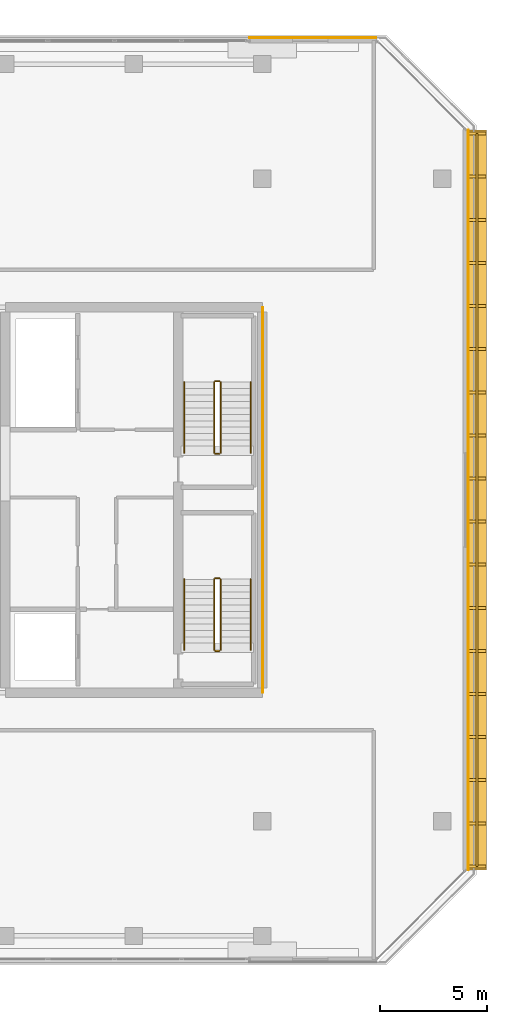
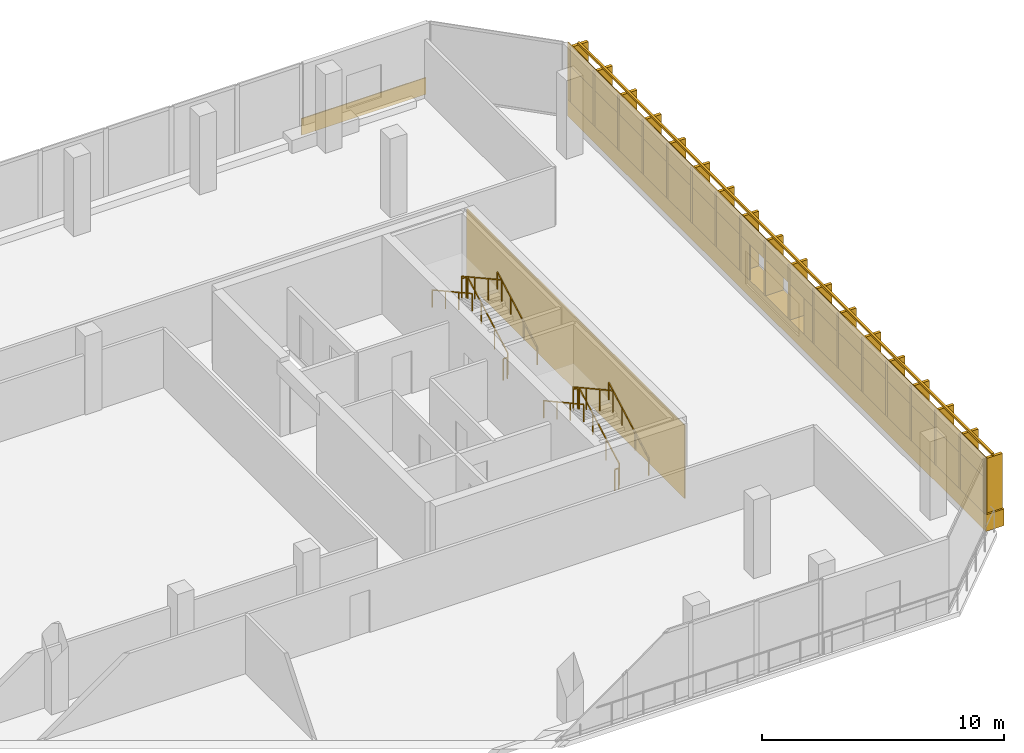
# One storey, part 26 of 26: 13 railings, 6 coverings.
"""IFC4 building model written with IfcOpenShell, lengths in metres."""

from ifc_helpers import new_model, si_unit, direction, frame, origin, origin_2d, place, context, subcontext, project, spatial, rectangle, extrude, material, layer, layer_set, type_object, element, save


model = new_model("IFC4")

# Units and contexts
model_context = context("Model", 3, precision=1e-05, world=origin(), true_north=direction((0.0, 1.0)))
body_context = subcontext(model_context, "Body", "Model", "MODEL_VIEW")
ifc_project = project(units=[si_unit("LENGTHUNIT", "METRE"), si_unit("AREAUNIT", "SQUARE_METRE"), si_unit("VOLUMEUNIT", "CUBIC_METRE"), si_unit("PLANEANGLEUNIT", "RADIAN"), si_unit("MASSUNIT", "GRAM", prefix="KILO")], contexts=[model_context])

# Site, building, storey
site_placement = place(None, origin())
site = spatial("IfcSite", under=ifc_project, at=site_placement, CompositionType="ELEMENT")
building_placement = place(site_placement, origin())
building = spatial("IfcBuilding", under=site, at=building_placement, Name="Tanjung Sevakor Pilgrim Tower", CompositionType="ELEMENT")
storey_placement = place(building_placement, frame((0.0, 0.0, 177.8701171875)))
storey = spatial("IfcBuildingStorey", under=building, at=storey_placement, Name="L49", CompositionType="ELEMENT", Elevation=177.8701171875)

# Coverings
ifc_material_1 = material(Name="Reconstructed Limestone Cladding", Category="masonry")
ifc_layer = layer(ifc_material_1, 0.044921875)
ifc_layer_set = layer_set([ifc_layer], Name="COV-CLAD-LIMESTONE")
covering_type = type_object("IfcCoveringType", Name="COV-CLAD-LIMESTONE", PredefinedType="CLADDING", material=ifc_layer_set)
covering_1_placement = place(storey_placement, frame((100.030029296875, 33.60009765625, 0.009765625), z_axis=(0.0, 0.0, 1.0), x_axis=(0.0, 1.0, 0.0)))
element("IfcCovering", 1, at=covering_1_placement, inside=storey, type_object=covering_type, Name="L49 Warm Limestone Sill Spandrel EW-L49-MAIN-7-1", PredefinedType="CLADDING", context=body_context, shape_type="SweptSolid", body=[
    extrude(rectangle(XDim=34.52880859375, YDim=0.860107421875, at=origin_2d()), origin(), (0.0, 0.0, 1.0), 0.840087890625),
])
covering_2_placement = place(storey_placement, frame((99.62255859375, 33.60009765625, 2.65966796875), z_axis=(0.0, 0.0, 1.0), x_axis=(0.0, 1.0, 0.0)))
element("IfcCovering", 2, at=covering_2_placement, inside=storey, type_object=covering_type, Name="L49 Warm Limestone Cornice Spandrel EW-L49-MAIN-7", PredefinedType="CLADDING", context=body_context, shape_type="SweptSolid", body=[
    extrude(rectangle(XDim=34.56884765625, YDim=0.044921875, at=origin_2d()), origin(), (0.0, 0.0, 1.0), 1.070068359375),
])
for number, where, z_axis, x_axis, name in (
    (3, (99.62255859375, 23.8427734375, 0.849853515625), (0.0, 0.0, 1.0), (0.0, 1.0, 0.0), "L49 Warm Limestone Pier Panel EW-L49-MAIN-7-1"),
    (4, (99.62255859375, 43.357177734375, 0.849853515625), (0.0, 0.0, 1.0), (0.0, 1.0, 0.0), "L49 Warm Limestone Pier Panel EW-L49-MAIN-7-2"),
):
    element("IfcCovering", number, at=place(storey_placement, frame(where, z_axis=z_axis, x_axis=x_axis)), inside=storey, type_object=covering_type, Name=name, PredefinedType="CLADDING", context=body_context, shape_type="SweptSolid", body=[
        extrude(rectangle(XDim=15.014404296875, YDim=0.044921875, at=origin_2d()), origin(), (0.0, 0.0, 1.0), 1.81005859375),
    ])
covering_3_placement = place(storey_placement, frame((92.3544921875, 55.172607421875, 0.009765625), z_axis=(0.0, 0.0, 1.0), x_axis=(-1.0, 0.0, 0.0)))
element("IfcCovering", 5, at=covering_3_placement, inside=storey, type_object=covering_type, Name="L49 Warm Limestone Sill Spandrel EW-SKY-L49-N1-1", PredefinedType="CLADDING", context=body_context, shape_type="SweptSolid", body=[
    extrude(rectangle(XDim=5.919921875, YDim=0.044921875, at=origin_2d()), origin(), (0.0, 0.0, 1.0), 0.840087890625),
])
covering_4_placement = place(storey_placement, frame((90.0224609375, 33.60009765625, 0.02001953125), z_axis=(0.0, 0.0, 1.0), x_axis=(1.0, 0.0, 0.0)))
element("IfcCovering", 6, at=covering_4_placement, inside=storey, type_object=covering_type, Name="L49 Expressed Core Warm Limestone Cladding E", PredefinedType="CLADDING", context=body_context, shape_type="SweptSolid", body=[
    extrude(rectangle(XDim=0.044921875, YDim=18.0, at=origin_2d()), origin(), (0.0, 0.0, 1.0), 3.699951171875),
])

# Railings
ifc_material_2 = material(Name="Anodised Bronze Aluminium 6063-T6", Category="aluminium")
railing_type_1 = type_object("IfcRailingType", Name="RL-FIN-SCREEN", PredefinedType="BALUSTRADE", material=ifc_material_2)
railing_1_placement = place(storey_placement, frame((100.02490234375, 16.49560546875, 0.83984375)))
element("IfcRailing", 7, at=railing_1_placement, inside=storey, type_object=railing_type_1, Name="L49 Vertical Bronze-Gold Solar Fin Screen FNEND-EW-L49-MAIN-7-1", PredefinedType="BALUSTRADE", context=body_context, shape_type="SweptSolid", body=[
    extrude(rectangle(XDim=0.105, YDim=0.105), frame((0.0, 0.0, 2.817626953125), z_axis=(0.0, 1.0, 0.0), x_axis=(-1.0, 0.0, 0.0)), (0.0, 0.0, 1.0), 34.208740234375),
    extrude(rectangle(XDim=0.85, YDim=0.14), origin(), (0.0, 0.0, 1.0), 2.76513671875),
    extrude(rectangle(XDim=0.85, YDim=0.14), frame((0.0, 2.01220703125, 0.0)), (0.0, 0.0, 1.0), 2.76513671875),
    extrude(rectangle(XDim=0.85, YDim=0.14), frame((0.0, 4.024658203125, 0.0)), (0.0, 0.0, 1.0), 2.76513671875),
    extrude(rectangle(XDim=0.85, YDim=0.14), frame((0.0, 6.036865234375, 0.0)), (0.0, 0.0, 1.0), 2.76513671875),
    extrude(rectangle(XDim=0.85, YDim=0.14), frame((0.0, 8.049072265625, 0.0)), (0.0, 0.0, 1.0), 2.76513671875),
    extrude(rectangle(XDim=0.85, YDim=0.14), frame((0.0, 10.061279296875, 0.0)), (0.0, 0.0, 1.0), 2.76513671875),
    extrude(rectangle(XDim=0.85, YDim=0.14), frame((0.0, 12.07373046875, 0.0)), (0.0, 0.0, 1.0), 2.76513671875),
    extrude(rectangle(XDim=0.85, YDim=0.14), frame((0.0, 14.0859375, 0.0)), (0.0, 0.0, 1.0), 2.76513671875),
    extrude(rectangle(XDim=0.85, YDim=0.14), frame((0.0, 16.09814453125, 0.0)), (0.0, 0.0, 1.0), 2.76513671875),
    extrude(rectangle(XDim=0.85, YDim=0.14), frame((0.0, 18.110595703125, 0.0)), (0.0, 0.0, 1.0), 2.76513671875),
    extrude(rectangle(XDim=0.85, YDim=0.14), frame((0.0, 20.122802734375, 0.0)), (0.0, 0.0, 1.0), 2.76513671875),
    extrude(rectangle(XDim=0.85, YDim=0.14), frame((0.0, 22.135009765625, 0.0)), (0.0, 0.0, 1.0), 2.76513671875),
    extrude(rectangle(XDim=0.85, YDim=0.14), frame((0.0, 24.1474609375, 0.0)), (0.0, 0.0, 1.0), 2.76513671875),
    extrude(rectangle(XDim=0.85, YDim=0.14), frame((0.0, 26.15966796875, 0.0)), (0.0, 0.0, 1.0), 2.76513671875),
    extrude(rectangle(XDim=0.85, YDim=0.14), frame((0.0, 28.171875, 0.0)), (0.0, 0.0, 1.0), 2.76513671875),
    extrude(rectangle(XDim=0.85, YDim=0.14), frame((0.0, 30.18408203125, 0.0)), (0.0, 0.0, 1.0), 2.76513671875),
    extrude(rectangle(XDim=0.85, YDim=0.14), frame((0.0, 32.196533203125, 0.0)), (0.0, 0.0, 1.0), 2.76513671875),
    extrude(rectangle(XDim=0.85, YDim=0.14), frame((0.0, 34.208740234375, 0.0)), (0.0, 0.0, 1.0), 2.76513671875),
])
ifc_material_3 = material(Name="Steel S355J2", Category="steel")
railing_type_2 = type_object("IfcRailingType", Name="RL-STAIR-GUARD", PredefinedType="GUARDRAIL", material=ifc_material_3)
railing_2_placement = place(storey_placement, frame((88.050048828125, 26.60009765625, 0.164794921875)))
element("IfcRailing", 8, at=railing_2_placement, inside=storey, type_object=railing_type_2, Name="L49 TS-E1 stair guard 1", PredefinedType="GUARDRAIL", context=body_context, shape_type="SweptSolid", body=[
    extrude(rectangle(XDim=0.0479, YDim=0.0479), frame((0.0, 0.0, 1.076171875), z_axis=(0.0, 0.876183058343, 0.481978472831), x_axis=(-1.0, 0.0, 0.0)), (0.0, 0.0, 1.0), 3.76611328125),
    extrude(rectangle(XDim=0.042, YDim=0.042), origin(), (0.0, 0.0, 1.0), 1.052001953125),
    extrude(rectangle(XDim=0.042, YDim=0.042), frame((0.0, 1.099853515625, 0.60498046875)), (0.0, 0.0, 1.0), 1.052001953125),
    extrude(rectangle(XDim=0.042, YDim=0.042), frame((0.0, 2.199951171875, 1.210205078125)), (0.0, 0.0, 1.0), 1.052001953125),
    extrude(rectangle(XDim=0.042, YDim=0.042), frame((0.0, 3.2998046875, 1.815185546875)), (0.0, 0.0, 1.0), 1.052001953125),
])
railing_3_placement = place(storey_placement, frame((88.0, 29.949951171875, 1.97998046875)))
element("IfcRailing", 9, at=railing_3_placement, inside=storey, type_object=railing_type_2, Name="L49 TS-E1 stair guard 2", PredefinedType="GUARDRAIL", context=body_context, shape_type="SweptSolid", body=[
    extrude(rectangle(XDim=0.0479, YDim=0.0479), frame((0.0, 0.0, 1.076171875), z_axis=(-1.0, 0.0, 0.0), x_axis=(0.0, -1.0, 0.0)), (0.0, 0.0, 1.0), 0.199951171875),
    extrude(rectangle(XDim=0.042, YDim=0.042), origin(), (0.0, 0.0, 1.0), 1.052001953125),
    extrude(rectangle(XDim=0.042, YDim=0.042), frame((-0.199951171875, 0.0, 0.0)), (0.0, 0.0, 1.0), 1.052001953125),
])
railing_4_placement = place(storey_placement, frame((87.75, 29.89990234375, 2.144775390625)))
element("IfcRailing", 10, at=railing_4_placement, inside=storey, type_object=railing_type_2, Name="L49 TS-E1 stair guard 3", PredefinedType="GUARDRAIL", context=body_context, shape_type="SweptSolid", body=[
    extrude(rectangle(XDim=0.0479, YDim=0.0479), frame((0.0, 0.0, 1.076171875), z_axis=(0.0, -0.876183058343, 0.481978472831), x_axis=(1.0, 0.0, 0.0)), (0.0, 0.0, 1.0), 3.76611328125),
    extrude(rectangle(XDim=0.042, YDim=0.042), origin(), (0.0, 0.0, 1.0), 1.052001953125),
    extrude(rectangle(XDim=0.042, YDim=0.042), frame((0.0, -1.099853515625, 0.60498046875)), (0.0, 0.0, 1.0), 1.052001953125),
    extrude(rectangle(XDim=0.042, YDim=0.042), frame((0.0, -2.199951171875, 1.210205078125)), (0.0, 0.0, 1.0), 1.052001953125),
    extrude(rectangle(XDim=0.042, YDim=0.042), frame((0.0, -3.2998046875, 1.815185546875)), (0.0, 0.0, 1.0), 1.052001953125),
])
railing_5_placement = place(storey_placement, frame((88.0, 26.550048828125, 0.0)))
element("IfcRailing", 11, at=railing_5_placement, inside=storey, type_object=railing_type_2, Name="L49 TS-E1 stair guard 4", PredefinedType="GUARDRAIL", context=body_context, shape_type="SweptSolid", body=[
    extrude(rectangle(XDim=0.0479, YDim=0.0479), frame((0.0, 0.0, 1.076171875), z_axis=(-1.0, 0.0, 0.0), x_axis=(0.0, -1.0, 0.0)), (0.0, 0.0, 1.0), 0.199951171875),
    extrude(rectangle(XDim=0.042, YDim=0.042), origin(), (0.0, 0.0, 1.0), 1.052001953125),
    extrude(rectangle(XDim=0.042, YDim=0.042), frame((-0.199951171875, 0.0, 0.0)), (0.0, 0.0, 1.0), 1.052001953125),
])
railing_6_placement = place(storey_placement, frame((88.050048828125, 35.800048828125, 0.164794921875)))
element("IfcRailing", 12, at=railing_6_placement, inside=storey, type_object=railing_type_2, Name="L49 TS-E2 stair guard 1", PredefinedType="GUARDRAIL", context=body_context, shape_type="SweptSolid", body=[
    extrude(rectangle(XDim=0.0479, YDim=0.0479), frame((0.0, 0.0, 1.076171875), z_axis=(0.0, 0.876198116262, 0.481951098203), x_axis=(-1.0, 0.0, 0.0)), (0.0, 0.0, 1.0), 3.766357421875),
    extrude(rectangle(XDim=0.042, YDim=0.042), origin(), (0.0, 0.0, 1.0), 1.052001953125),
    extrude(rectangle(XDim=0.042, YDim=0.042), frame((0.0, 1.10009765625, 0.60498046875)), (0.0, 0.0, 1.0), 1.052001953125),
    extrude(rectangle(XDim=0.042, YDim=0.042), frame((0.0, 2.199951171875, 1.210205078125)), (0.0, 0.0, 1.0), 1.052001953125),
    extrude(rectangle(XDim=0.042, YDim=0.042), frame((0.0, 3.300048828125, 1.815185546875)), (0.0, 0.0, 1.0), 1.052001953125),
])
railing_7_placement = place(storey_placement, frame((88.0, 39.14990234375, 1.97998046875)))
element("IfcRailing", 13, at=railing_7_placement, inside=storey, type_object=railing_type_2, Name="L49 TS-E2 stair guard 2", PredefinedType="GUARDRAIL", context=body_context, shape_type="SweptSolid", body=[
    extrude(rectangle(XDim=0.0479, YDim=0.0479), frame((0.0, 0.0, 1.076171875), z_axis=(-1.0, 0.0, 0.0), x_axis=(0.0, -1.0, 0.0)), (0.0, 0.0, 1.0), 0.199951171875),
    extrude(rectangle(XDim=0.042, YDim=0.042), origin(), (0.0, 0.0, 1.0), 1.052001953125),
    extrude(rectangle(XDim=0.042, YDim=0.042), frame((-0.199951171875, 0.0, 0.0)), (0.0, 0.0, 1.0), 1.052001953125),
])
railing_8_placement = place(storey_placement, frame((87.75, 39.10009765625, 2.144775390625)))
element("IfcRailing", 14, at=railing_8_placement, inside=storey, type_object=railing_type_2, Name="L49 TS-E2 stair guard 3", PredefinedType="GUARDRAIL", context=body_context, shape_type="SweptSolid", body=[
    extrude(rectangle(XDim=0.0479, YDim=0.0479), frame((0.0, 0.0, 1.076171875), z_axis=(0.0, -0.876198116262, 0.481951098203), x_axis=(1.0, 0.0, 0.0)), (0.0, 0.0, 1.0), 3.766357421875),
    extrude(rectangle(XDim=0.042, YDim=0.042), origin(), (0.0, 0.0, 1.0), 1.052001953125),
    extrude(rectangle(XDim=0.042, YDim=0.042), frame((0.0, -1.10009765625, 0.60498046875)), (0.0, 0.0, 1.0), 1.052001953125),
    extrude(rectangle(XDim=0.042, YDim=0.042), frame((0.0, -2.199951171875, 1.210205078125)), (0.0, 0.0, 1.0), 1.052001953125),
    extrude(rectangle(XDim=0.042, YDim=0.042), frame((0.0, -3.300048828125, 1.815185546875)), (0.0, 0.0, 1.0), 1.052001953125),
])
railing_9_placement = place(storey_placement, frame((88.0, 35.75, 0.0)))
element("IfcRailing", 15, at=railing_9_placement, inside=storey, type_object=railing_type_2, Name="L49 TS-E2 stair guard 4", PredefinedType="GUARDRAIL", context=body_context, shape_type="SweptSolid", body=[
    extrude(rectangle(XDim=0.0479, YDim=0.0479), frame((0.0, 0.0, 1.076171875), z_axis=(-1.0, 0.0, 0.0), x_axis=(0.0, -1.0, 0.0)), (0.0, 0.0, 1.0), 0.199951171875),
    extrude(rectangle(XDim=0.042, YDim=0.042), origin(), (0.0, 0.0, 1.0), 1.052001953125),
    extrude(rectangle(XDim=0.042, YDim=0.042), frame((-0.199951171875, 0.0, 0.0)), (0.0, 0.0, 1.0), 1.052001953125),
])
ifc_material_4 = material(Name="Steel S355J2", Category="steel")
railing_type_3 = type_object("IfcRailingType", Name="RL-STAIR-HAND", PredefinedType="HANDRAIL", material=ifc_material_4)
railing_10_placement = place(storey_placement, frame((89.449951171875, 26.60009765625, 0.164794921875)))
element("IfcRailing", 16, at=railing_10_placement, inside=storey, type_object=railing_type_3, Name="L49 TS-E1 stair handrail 1", PredefinedType="HANDRAIL", context=body_context, shape_type="SweptSolid", body=[
    extrude(rectangle(XDim=0.0479, YDim=0.0479), frame((0.0, 0.0, 0.8759765625), z_axis=(0.0, 0.876183058343, 0.481978472831), x_axis=(-1.0, 0.0, 0.0)), (0.0, 0.0, 1.0), 3.76611328125),
    extrude(rectangle(XDim=0.042, YDim=0.042), origin(), (0.0, 0.0, 1.0), 0.851806640625),
    extrude(rectangle(XDim=0.042, YDim=0.042), frame((0.0, 1.099853515625, 0.60498046875)), (0.0, 0.0, 1.0), 0.851806640625),
    extrude(rectangle(XDim=0.042, YDim=0.042), frame((0.0, 2.199951171875, 1.210205078125)), (0.0, 0.0, 1.0), 0.851806640625),
    extrude(rectangle(XDim=0.042, YDim=0.042), frame((0.0, 3.2998046875, 1.815185546875)), (0.0, 0.0, 1.0), 0.851806640625),
])
railing_11_placement = place(storey_placement, frame((86.35009765625, 29.89990234375, 2.144775390625)))
element("IfcRailing", 17, at=railing_11_placement, inside=storey, type_object=railing_type_3, Name="L49 TS-E1 stair handrail 2", PredefinedType="HANDRAIL", context=body_context, shape_type="SweptSolid", body=[
    extrude(rectangle(XDim=0.0479, YDim=0.0479), frame((0.0, 0.0, 0.8759765625), z_axis=(0.0, -0.876183058343, 0.481978472831), x_axis=(1.0, 0.0, 0.0)), (0.0, 0.0, 1.0), 3.76611328125),
    extrude(rectangle(XDim=0.042, YDim=0.042), origin(), (0.0, 0.0, 1.0), 0.851806640625),
    extrude(rectangle(XDim=0.042, YDim=0.042), frame((0.0, -1.099853515625, 0.60498046875)), (0.0, 0.0, 1.0), 0.851806640625),
    extrude(rectangle(XDim=0.042, YDim=0.042), frame((0.0, -2.199951171875, 1.210205078125)), (0.0, 0.0, 1.0), 0.851806640625),
    extrude(rectangle(XDim=0.042, YDim=0.042), frame((0.0, -3.2998046875, 1.815185546875)), (0.0, 0.0, 1.0), 0.851806640625),
])
railing_12_placement = place(storey_placement, frame((89.449951171875, 35.800048828125, 0.164794921875)))
element("IfcRailing", 18, at=railing_12_placement, inside=storey, type_object=railing_type_3, Name="L49 TS-E2 stair handrail 1", PredefinedType="HANDRAIL", context=body_context, shape_type="SweptSolid", body=[
    extrude(rectangle(XDim=0.0479, YDim=0.0479), frame((0.0, 0.0, 0.8759765625), z_axis=(0.0, 0.876198116262, 0.481951098203), x_axis=(-1.0, 0.0, 0.0)), (0.0, 0.0, 1.0), 3.766357421875),
    extrude(rectangle(XDim=0.042, YDim=0.042), origin(), (0.0, 0.0, 1.0), 0.851806640625),
    extrude(rectangle(XDim=0.042, YDim=0.042), frame((0.0, 1.10009765625, 0.60498046875)), (0.0, 0.0, 1.0), 0.851806640625),
    extrude(rectangle(XDim=0.042, YDim=0.042), frame((0.0, 2.199951171875, 1.210205078125)), (0.0, 0.0, 1.0), 0.851806640625),
    extrude(rectangle(XDim=0.042, YDim=0.042), frame((0.0, 3.300048828125, 1.815185546875)), (0.0, 0.0, 1.0), 0.851806640625),
])
railing_13_placement = place(storey_placement, frame((86.35009765625, 39.10009765625, 2.144775390625)))
element("IfcRailing", 19, at=railing_13_placement, inside=storey, type_object=railing_type_3, Name="L49 TS-E2 stair handrail 2", PredefinedType="HANDRAIL", context=body_context, shape_type="SweptSolid", body=[
    extrude(rectangle(XDim=0.0479, YDim=0.0479), frame((0.0, 0.0, 0.8759765625), z_axis=(0.0, -0.876198116262, 0.481951098203), x_axis=(1.0, 0.0, 0.0)), (0.0, 0.0, 1.0), 3.766357421875),
    extrude(rectangle(XDim=0.042, YDim=0.042), origin(), (0.0, 0.0, 1.0), 0.851806640625),
    extrude(rectangle(XDim=0.042, YDim=0.042), frame((0.0, -1.10009765625, 0.60498046875)), (0.0, 0.0, 1.0), 0.851806640625),
    extrude(rectangle(XDim=0.042, YDim=0.042), frame((0.0, -2.199951171875, 1.210205078125)), (0.0, 0.0, 1.0), 0.851806640625),
    extrude(rectangle(XDim=0.042, YDim=0.042), frame((0.0, -3.300048828125, 1.815185546875)), (0.0, 0.0, 1.0), 0.851806640625),
])

save(model, "model.ifc")
